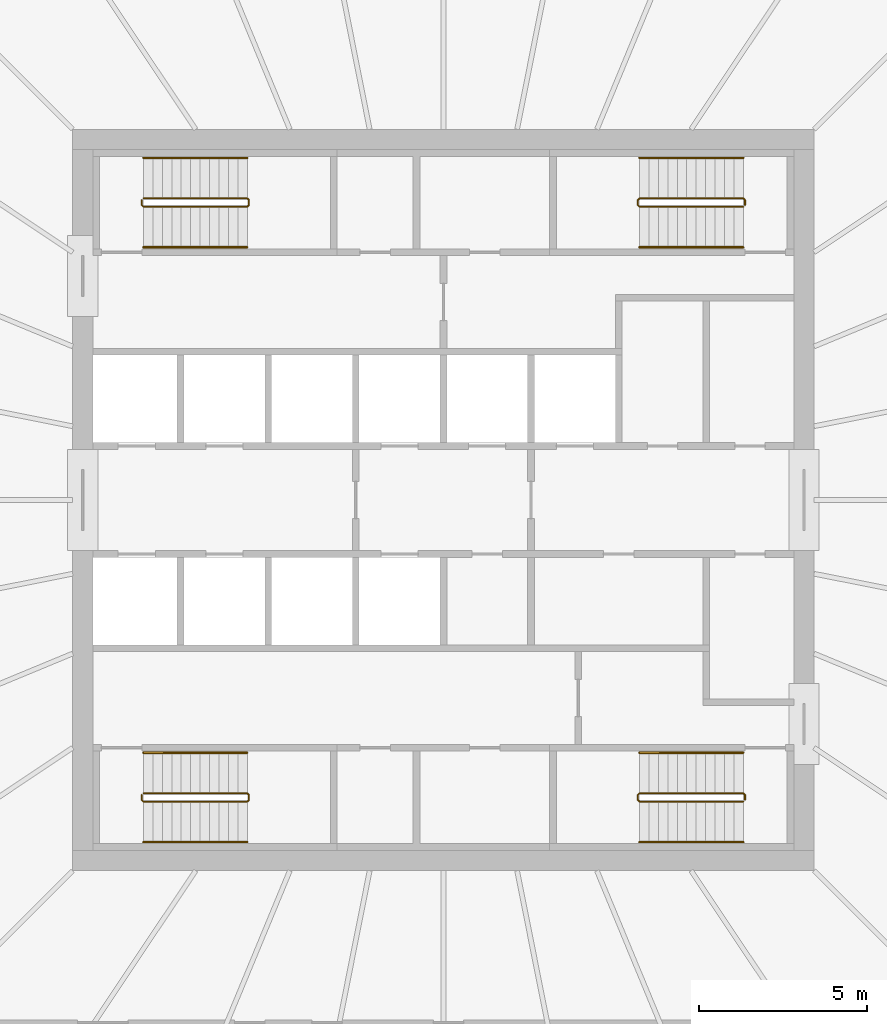
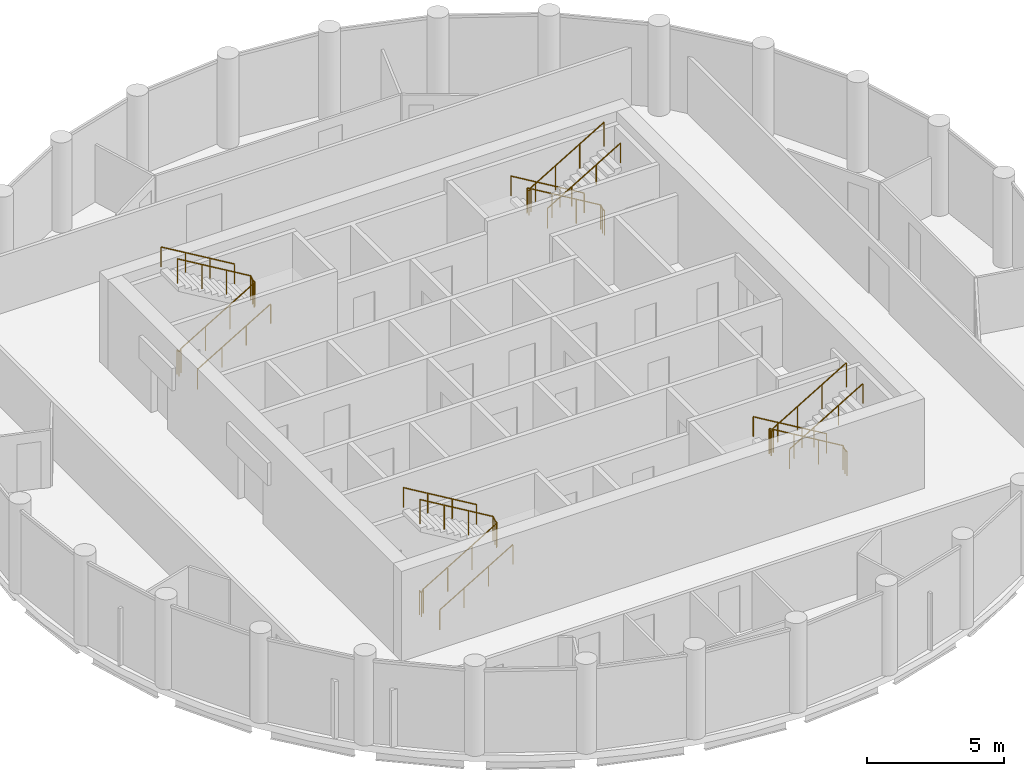
# One storey, part 7 of 7: 12 railings.
"""IFC4 building model written with IfcOpenShell, lengths in metres."""

from ifc_helpers import new_model, si_unit, direction, frame, origin, origin_2d, place, context, subcontext, project, spatial, circle, extrude, material, type_object, element, save


model = new_model("IFC4")

# Units and contexts
model_context = context("Model", 3, precision=1e-05, world=origin(), true_north=direction((0.0, 1.0)))
body_context = subcontext(model_context, "Body", "Model", "MODEL_VIEW")
ifc_project = project(units=[si_unit("LENGTHUNIT", "METRE"), si_unit("AREAUNIT", "SQUARE_METRE"), si_unit("VOLUMEUNIT", "CUBIC_METRE"), si_unit("PLANEANGLEUNIT", "RADIAN"), si_unit("MASSUNIT", "GRAM", prefix="KILO")], contexts=[model_context])

# Site, building, storey
site_placement = place(None, origin())
site = spatial("IfcSite", under=ifc_project, at=site_placement, CompositionType="ELEMENT")
building_placement = place(site_placement, origin())
building = spatial("IfcBuilding", under=site, at=building_placement, Name="Corvane Civic Tower", CompositionType="ELEMENT")
storey_placement = place(building_placement, frame((0.0, 0.0, 376.5)))
storey = spatial("IfcBuildingStorey", under=building, at=storey_placement, Name="L90", CompositionType="ELEMENT", Elevation=376.5)

# Railings
ifc_material_1 = material(Name="Steel ASTM A572 Gr 50", Category="steel")
railing_type_1 = type_object("IfcRailingType", Name="ST-GUARD-1100", PredefinedType="GUARDRAIL", material=ifc_material_1)
railing_1_placement = place(storey_placement, frame((8.949951171875, 8.75, 0.0)))
element("IfcRailing", 1, at=railing_1_placement, inside=storey, type_object=railing_type_1, Name="L90 ST1 stair guard 1", PredefinedType="GUARDRAIL", context=body_context, shape_type="SweptSolid", body=[
    extrude(circle(Radius=0.02392578125, at=origin_2d()), frame((0.0, 0.0, 1.076171875), z_axis=(0.0, 1.0, 0.0), x_axis=(-1.0, 0.0, 0.0)), (0.0, 0.0, 1.0), 0.14990234375),
    extrude(circle(Radius=0.02392578125, at=origin_2d()), frame((0.0, 0.14990234375, 1.076171875), z_axis=(-0.27628659633, 0.27628659633, 0.920506074601), x_axis=(-0.707106781187, -0.707106781187, 0.0)), (0.0, 0.0, 1.0), 0.18115234375),
    extrude(circle(Radius=0.02392578125, at=origin_2d()), frame((-0.050048828125, 0.199951171875, 1.24267578125), z_axis=(-0.859290745958, 0.0, 0.51148745235), x_axis=(0.0, -1.0, 0.0)), (0.0, 0.0, 1.0), 3.584228515625),
    extrude(circle(Radius=0.02392578125, at=origin_2d()), frame((-3.1298828125, 0.199951171875, 3.076171875), z_axis=(-0.707106781187, -0.707106781187, 0.0), x_axis=(0.707106781187, -0.707106781187, 0.0)), (0.0, 0.0, 1.0), 0.07080078125),
    extrude(circle(Radius=0.02392578125, at=origin_2d()), frame((-3.179931640625, 0.14990234375, 3.076171875), z_axis=(0.0, -1.0, 0.0), x_axis=(1.0, 0.0, 0.0)), (0.0, 0.0, 1.0), 0.14990234375),
    extrude(circle(Radius=0.02392578125, at=origin_2d()), frame((-3.179931640625, 0.0, 3.076171875), z_axis=(0.27628659633, -0.27628659633, 0.920506074601), x_axis=(0.707106781187, 0.707106781187, 0.0)), (0.0, 0.0, 1.0), 0.18115234375),
    extrude(circle(Radius=0.02392578125, at=origin_2d()), frame((-3.1298828125, -0.050048828125, 3.24267578125), z_axis=(0.859290745958, 0.0, 0.51148745235), x_axis=(0.0, 1.0, 0.0)), (0.0, 0.0, 1.0), 3.584228515625),
    extrude(circle(Radius=0.02099609375, at=origin_2d()), origin(), (0.0, 0.0, 1.0), 1.052001953125),
    extrude(circle(Radius=0.02099609375, at=origin_2d()), frame((0.0, 0.14990234375, 0.0)), (0.0, 0.0, 1.0), 1.052001953125),
    extrude(circle(Radius=0.02099609375, at=origin_2d()), frame((-0.050048828125, 0.199951171875, 0.166748046875)), (0.0, 0.0, 1.0), 1.052001953125),
    extrude(circle(Radius=0.02099609375, at=origin_2d()), frame((-1.07666015625, 0.199951171875, 0.77783203125)), (0.0, 0.0, 1.0), 1.052001953125),
    extrude(circle(Radius=0.02099609375, at=origin_2d()), frame((-2.103271484375, 0.199951171875, 1.388916015625)), (0.0, 0.0, 1.0), 1.052001953125),
    extrude(circle(Radius=0.02099609375, at=origin_2d()), frame((-3.1298828125, 0.199951171875, 2.0)), (0.0, 0.0, 1.0), 1.052001953125),
    extrude(circle(Radius=0.02099609375, at=origin_2d()), frame((-3.179931640625, 0.14990234375, 2.0)), (0.0, 0.0, 1.0), 1.052001953125),
    extrude(circle(Radius=0.02099609375, at=origin_2d()), frame((-3.179931640625, 0.0, 2.0)), (0.0, 0.0, 1.0), 1.052001953125),
    extrude(circle(Radius=0.02099609375, at=origin_2d()), frame((-3.1298828125, -0.050048828125, 2.166748046875)), (0.0, 0.0, 1.0), 1.052001953125),
    extrude(circle(Radius=0.02099609375, at=origin_2d()), frame((-2.103271484375, -0.050048828125, 2.77783203125)), (0.0, 0.0, 1.0), 1.052001953125),
    extrude(circle(Radius=0.02099609375, at=origin_2d()), frame((-1.07666015625, -0.050048828125, 3.388916015625)), (0.0, 0.0, 1.0), 1.052001953125),
    extrude(circle(Radius=0.02099609375, at=origin_2d()), frame((-0.050048828125, -0.050048828125, 4.0)), (0.0, 0.0, 1.0), 1.052001953125),
])
railing_2_placement = place(storey_placement, frame((8.949951171875, -8.89990234375, 0.0)))
element("IfcRailing", 2, at=railing_2_placement, inside=storey, type_object=railing_type_1, Name="L90 ST2 stair guard 1", PredefinedType="GUARDRAIL", context=body_context, shape_type="SweptSolid", body=[
    extrude(circle(Radius=0.02392578125, at=origin_2d()), frame((0.0, 0.0, 1.076171875), z_axis=(0.0, 1.0, 0.0), x_axis=(-1.0, 0.0, 0.0)), (0.0, 0.0, 1.0), 0.14990234375),
    extrude(circle(Radius=0.02392578125, at=origin_2d()), frame((0.0, 0.14990234375, 1.076171875), z_axis=(-0.27628659633, 0.27628659633, 0.920506074601), x_axis=(-0.707106781187, -0.707106781187, 0.0)), (0.0, 0.0, 1.0), 0.18115234375),
    extrude(circle(Radius=0.02392578125, at=origin_2d()), frame((-0.050048828125, 0.199951171875, 1.24267578125), z_axis=(-0.859290745958, 0.0, 0.51148745235), x_axis=(0.0, -1.0, 0.0)), (0.0, 0.0, 1.0), 3.584228515625),
    extrude(circle(Radius=0.02392578125, at=origin_2d()), frame((-3.1298828125, 0.199951171875, 3.076171875), z_axis=(-0.707106781187, -0.707106781187, 0.0), x_axis=(0.707106781187, -0.707106781187, 0.0)), (0.0, 0.0, 1.0), 0.07080078125),
    extrude(circle(Radius=0.02392578125, at=origin_2d()), frame((-3.179931640625, 0.14990234375, 3.076171875), z_axis=(0.0, -1.0, 0.0), x_axis=(1.0, 0.0, 0.0)), (0.0, 0.0, 1.0), 0.14990234375),
    extrude(circle(Radius=0.02392578125, at=origin_2d()), frame((-3.179931640625, 0.0, 3.076171875), z_axis=(0.27628659633, -0.27628659633, 0.920506074601), x_axis=(0.707106781187, 0.707106781187, 0.0)), (0.0, 0.0, 1.0), 0.18115234375),
    extrude(circle(Radius=0.02392578125, at=origin_2d()), frame((-3.1298828125, -0.050048828125, 3.24267578125), z_axis=(0.859290745958, 0.0, 0.51148745235), x_axis=(0.0, 1.0, 0.0)), (0.0, 0.0, 1.0), 3.584228515625),
    extrude(circle(Radius=0.02099609375, at=origin_2d()), origin(), (0.0, 0.0, 1.0), 1.052001953125),
    extrude(circle(Radius=0.02099609375, at=origin_2d()), frame((0.0, 0.14990234375, 0.0)), (0.0, 0.0, 1.0), 1.052001953125),
    extrude(circle(Radius=0.02099609375, at=origin_2d()), frame((-0.050048828125, 0.199951171875, 0.166748046875)), (0.0, 0.0, 1.0), 1.052001953125),
    extrude(circle(Radius=0.02099609375, at=origin_2d()), frame((-1.07666015625, 0.199951171875, 0.77783203125)), (0.0, 0.0, 1.0), 1.052001953125),
    extrude(circle(Radius=0.02099609375, at=origin_2d()), frame((-2.103271484375, 0.199951171875, 1.388916015625)), (0.0, 0.0, 1.0), 1.052001953125),
    extrude(circle(Radius=0.02099609375, at=origin_2d()), frame((-3.1298828125, 0.199951171875, 2.0)), (0.0, 0.0, 1.0), 1.052001953125),
    extrude(circle(Radius=0.02099609375, at=origin_2d()), frame((-3.179931640625, 0.14990234375, 2.0)), (0.0, 0.0, 1.0), 1.052001953125),
    extrude(circle(Radius=0.02099609375, at=origin_2d()), frame((-3.179931640625, 0.0, 2.0)), (0.0, 0.0, 1.0), 1.052001953125),
    extrude(circle(Radius=0.02099609375, at=origin_2d()), frame((-3.1298828125, -0.050048828125, 2.166748046875)), (0.0, 0.0, 1.0), 1.052001953125),
    extrude(circle(Radius=0.02099609375, at=origin_2d()), frame((-2.103271484375, -0.050048828125, 2.77783203125)), (0.0, 0.0, 1.0), 1.052001953125),
    extrude(circle(Radius=0.02099609375, at=origin_2d()), frame((-1.07666015625, -0.050048828125, 3.388916015625)), (0.0, 0.0, 1.0), 1.052001953125),
    extrude(circle(Radius=0.02099609375, at=origin_2d()), frame((-0.050048828125, -0.050048828125, 4.0)), (0.0, 0.0, 1.0), 1.052001953125),
])
railing_3_placement = place(storey_placement, frame((-8.949951171875, -8.75, 0.0)))
element("IfcRailing", 3, at=railing_3_placement, inside=storey, type_object=railing_type_1, Name="L90 ST3 stair guard 1", PredefinedType="GUARDRAIL", context=body_context, shape_type="SweptSolid", body=[
    extrude(circle(Radius=0.02392578125, at=origin_2d()), frame((0.0, 0.0, 1.076171875), z_axis=(0.0, -1.0, 0.0), x_axis=(1.0, 0.0, 0.0)), (0.0, 0.0, 1.0), 0.14990234375),
    extrude(circle(Radius=0.02392578125, at=origin_2d()), frame((0.0, -0.14990234375, 1.076171875), z_axis=(0.27628659633, -0.27628659633, 0.920506074601), x_axis=(0.707106781187, 0.707106781187, 0.0)), (0.0, 0.0, 1.0), 0.18115234375),
    extrude(circle(Radius=0.02392578125, at=origin_2d()), frame((0.050048828125, -0.199951171875, 1.24267578125), z_axis=(0.859290745958, 0.0, 0.51148745235), x_axis=(0.0, 1.0, 0.0)), (0.0, 0.0, 1.0), 3.584228515625),
    extrude(circle(Radius=0.02392578125, at=origin_2d()), frame((3.1298828125, -0.199951171875, 3.076171875), z_axis=(0.707106781187, 0.707106781187, 0.0), x_axis=(-0.707106781187, 0.707106781187, 0.0)), (0.0, 0.0, 1.0), 0.07080078125),
    extrude(circle(Radius=0.02392578125, at=origin_2d()), frame((3.179931640625, -0.14990234375, 3.076171875), z_axis=(0.0, 1.0, 0.0), x_axis=(-1.0, 0.0, 0.0)), (0.0, 0.0, 1.0), 0.14990234375),
    extrude(circle(Radius=0.02392578125, at=origin_2d()), frame((3.179931640625, 0.0, 3.076171875), z_axis=(-0.27628659633, 0.27628659633, 0.920506074601), x_axis=(-0.707106781187, -0.707106781187, 0.0)), (0.0, 0.0, 1.0), 0.18115234375),
    extrude(circle(Radius=0.02392578125, at=origin_2d()), frame((3.1298828125, 0.050048828125, 3.24267578125), z_axis=(-0.859290745958, 0.0, 0.51148745235), x_axis=(0.0, -1.0, 0.0)), (0.0, 0.0, 1.0), 3.584228515625),
    extrude(circle(Radius=0.02099609375, at=origin_2d()), origin(), (0.0, 0.0, 1.0), 1.052001953125),
    extrude(circle(Radius=0.02099609375, at=origin_2d()), frame((0.0, -0.14990234375, 0.0)), (0.0, 0.0, 1.0), 1.052001953125),
    extrude(circle(Radius=0.02099609375, at=origin_2d()), frame((0.050048828125, -0.199951171875, 0.166748046875)), (0.0, 0.0, 1.0), 1.052001953125),
    extrude(circle(Radius=0.02099609375, at=origin_2d()), frame((1.07666015625, -0.199951171875, 0.77783203125)), (0.0, 0.0, 1.0), 1.052001953125),
    extrude(circle(Radius=0.02099609375, at=origin_2d()), frame((2.103271484375, -0.199951171875, 1.388916015625)), (0.0, 0.0, 1.0), 1.052001953125),
    extrude(circle(Radius=0.02099609375, at=origin_2d()), frame((3.1298828125, -0.199951171875, 2.0)), (0.0, 0.0, 1.0), 1.052001953125),
    extrude(circle(Radius=0.02099609375, at=origin_2d()), frame((3.179931640625, -0.14990234375, 2.0)), (0.0, 0.0, 1.0), 1.052001953125),
    extrude(circle(Radius=0.02099609375, at=origin_2d()), frame((3.179931640625, 0.0, 2.0)), (0.0, 0.0, 1.0), 1.052001953125),
    extrude(circle(Radius=0.02099609375, at=origin_2d()), frame((3.1298828125, 0.050048828125, 2.166748046875)), (0.0, 0.0, 1.0), 1.052001953125),
    extrude(circle(Radius=0.02099609375, at=origin_2d()), frame((2.103271484375, 0.050048828125, 2.77783203125)), (0.0, 0.0, 1.0), 1.052001953125),
    extrude(circle(Radius=0.02099609375, at=origin_2d()), frame((1.07666015625, 0.050048828125, 3.388916015625)), (0.0, 0.0, 1.0), 1.052001953125),
    extrude(circle(Radius=0.02099609375, at=origin_2d()), frame((0.050048828125, 0.050048828125, 4.0)), (0.0, 0.0, 1.0), 1.052001953125),
])
railing_4_placement = place(storey_placement, frame((-8.949951171875, 8.89990234375, 0.0)))
element("IfcRailing", 4, at=railing_4_placement, inside=storey, type_object=railing_type_1, Name="L90 ST4 stair guard 1", PredefinedType="GUARDRAIL", context=body_context, shape_type="SweptSolid", body=[
    extrude(circle(Radius=0.02392578125, at=origin_2d()), frame((0.0, 0.0, 1.076171875), z_axis=(0.0, -1.0, 0.0), x_axis=(1.0, 0.0, 0.0)), (0.0, 0.0, 1.0), 0.14990234375),
    extrude(circle(Radius=0.02392578125, at=origin_2d()), frame((0.0, -0.14990234375, 1.076171875), z_axis=(0.27628659633, -0.27628659633, 0.920506074601), x_axis=(0.707106781187, 0.707106781187, 0.0)), (0.0, 0.0, 1.0), 0.18115234375),
    extrude(circle(Radius=0.02392578125, at=origin_2d()), frame((0.050048828125, -0.199951171875, 1.24267578125), z_axis=(0.859290745958, 0.0, 0.51148745235), x_axis=(0.0, 1.0, 0.0)), (0.0, 0.0, 1.0), 3.584228515625),
    extrude(circle(Radius=0.02392578125, at=origin_2d()), frame((3.1298828125, -0.199951171875, 3.076171875), z_axis=(0.707106781187, 0.707106781187, 0.0), x_axis=(-0.707106781187, 0.707106781187, 0.0)), (0.0, 0.0, 1.0), 0.07080078125),
    extrude(circle(Radius=0.02392578125, at=origin_2d()), frame((3.179931640625, -0.14990234375, 3.076171875), z_axis=(0.0, 1.0, 0.0), x_axis=(-1.0, 0.0, 0.0)), (0.0, 0.0, 1.0), 0.14990234375),
    extrude(circle(Radius=0.02392578125, at=origin_2d()), frame((3.179931640625, 0.0, 3.076171875), z_axis=(-0.27628659633, 0.27628659633, 0.920506074601), x_axis=(-0.707106781187, -0.707106781187, 0.0)), (0.0, 0.0, 1.0), 0.18115234375),
    extrude(circle(Radius=0.02392578125, at=origin_2d()), frame((3.1298828125, 0.050048828125, 3.24267578125), z_axis=(-0.859290745958, 0.0, 0.51148745235), x_axis=(0.0, -1.0, 0.0)), (0.0, 0.0, 1.0), 3.584228515625),
    extrude(circle(Radius=0.02099609375, at=origin_2d()), origin(), (0.0, 0.0, 1.0), 1.052001953125),
    extrude(circle(Radius=0.02099609375, at=origin_2d()), frame((0.0, -0.14990234375, 0.0)), (0.0, 0.0, 1.0), 1.052001953125),
    extrude(circle(Radius=0.02099609375, at=origin_2d()), frame((0.050048828125, -0.199951171875, 0.166748046875)), (0.0, 0.0, 1.0), 1.052001953125),
    extrude(circle(Radius=0.02099609375, at=origin_2d()), frame((1.07666015625, -0.199951171875, 0.77783203125)), (0.0, 0.0, 1.0), 1.052001953125),
    extrude(circle(Radius=0.02099609375, at=origin_2d()), frame((2.103271484375, -0.199951171875, 1.388916015625)), (0.0, 0.0, 1.0), 1.052001953125),
    extrude(circle(Radius=0.02099609375, at=origin_2d()), frame((3.1298828125, -0.199951171875, 2.0)), (0.0, 0.0, 1.0), 1.052001953125),
    extrude(circle(Radius=0.02099609375, at=origin_2d()), frame((3.179931640625, -0.14990234375, 2.0)), (0.0, 0.0, 1.0), 1.052001953125),
    extrude(circle(Radius=0.02099609375, at=origin_2d()), frame((3.179931640625, 0.0, 2.0)), (0.0, 0.0, 1.0), 1.052001953125),
    extrude(circle(Radius=0.02099609375, at=origin_2d()), frame((3.1298828125, 0.050048828125, 2.166748046875)), (0.0, 0.0, 1.0), 1.052001953125),
    extrude(circle(Radius=0.02099609375, at=origin_2d()), frame((2.103271484375, 0.050048828125, 2.77783203125)), (0.0, 0.0, 1.0), 1.052001953125),
    extrude(circle(Radius=0.02099609375, at=origin_2d()), frame((1.07666015625, 0.050048828125, 3.388916015625)), (0.0, 0.0, 1.0), 1.052001953125),
    extrude(circle(Radius=0.02099609375, at=origin_2d()), frame((0.050048828125, 0.050048828125, 4.0)), (0.0, 0.0, 1.0), 1.052001953125),
])
ifc_material_2 = material(Name="Steel ASTM A572 Gr 50", Category="steel")
railing_type_2 = type_object("IfcRailingType", Name="ST-HANDRAIL-900", PredefinedType="HANDRAIL", material=ifc_material_2)
railing_5_placement = place(storey_placement, frame((8.89990234375, 10.14990234375, 0.166748046875)))
element("IfcRailing", 5, at=railing_5_placement, inside=storey, type_object=railing_type_2, Name="L90 ST1 stair handrail 1", PredefinedType="HANDRAIL", context=body_context, shape_type="SweptSolid", body=[
    extrude(circle(Radius=0.02392578125, at=origin_2d()), frame((0.0, 0.0, 0.8759765625), z_axis=(-0.859290745958, 0.0, 0.51148745235), x_axis=(0.0, -1.0, 0.0)), (0.0, 0.0, 1.0), 3.584228515625),
    extrude(circle(Radius=0.02099609375, at=origin_2d()), origin(), (0.0, 0.0, 1.0), 0.851806640625),
    extrude(circle(Radius=0.02099609375, at=origin_2d()), frame((-1.026611328125, 0.0, 0.611083984375)), (0.0, 0.0, 1.0), 0.851806640625),
    extrude(circle(Radius=0.02099609375, at=origin_2d()), frame((-2.05322265625, 0.0, 1.22216796875)), (0.0, 0.0, 1.0), 0.851806640625),
    extrude(circle(Radius=0.02099609375, at=origin_2d()), frame((-3.079833984375, 0.0, 1.833251953125)), (0.0, 0.0, 1.0), 0.851806640625),
])
railing_6_placement = place(storey_placement, frame((5.820068359375, 7.5, 2.166748046875)))
element("IfcRailing", 6, at=railing_6_placement, inside=storey, type_object=railing_type_2, Name="L90 ST1 stair handrail 2", PredefinedType="HANDRAIL", context=body_context, shape_type="SweptSolid", body=[
    extrude(circle(Radius=0.02392578125, at=origin_2d()), frame((0.0, 0.0, 0.8759765625), z_axis=(0.859290745958, 0.0, 0.51148745235), x_axis=(0.0, 1.0, 0.0)), (0.0, 0.0, 1.0), 3.584228515625),
    extrude(circle(Radius=0.02099609375, at=origin_2d()), origin(), (0.0, 0.0, 1.0), 0.851806640625),
    extrude(circle(Radius=0.02099609375, at=origin_2d()), frame((1.026611328125, 0.0, 0.611083984375)), (0.0, 0.0, 1.0), 0.851806640625),
    extrude(circle(Radius=0.02099609375, at=origin_2d()), frame((2.05322265625, 0.0, 1.22216796875)), (0.0, 0.0, 1.0), 0.851806640625),
    extrude(circle(Radius=0.02099609375, at=origin_2d()), frame((3.079833984375, 0.0, 1.833251953125)), (0.0, 0.0, 1.0), 0.851806640625),
])
railing_7_placement = place(storey_placement, frame((8.89990234375, -7.5, 0.166748046875)))
element("IfcRailing", 7, at=railing_7_placement, inside=storey, type_object=railing_type_2, Name="L90 ST2 stair handrail 1", PredefinedType="HANDRAIL", context=body_context, shape_type="SweptSolid", body=[
    extrude(circle(Radius=0.02392578125, at=origin_2d()), frame((0.0, 0.0, 0.8759765625), z_axis=(-0.859290745958, 0.0, 0.51148745235), x_axis=(0.0, -1.0, 0.0)), (0.0, 0.0, 1.0), 3.584228515625),
    extrude(circle(Radius=0.02099609375, at=origin_2d()), origin(), (0.0, 0.0, 1.0), 0.851806640625),
    extrude(circle(Radius=0.02099609375, at=origin_2d()), frame((-1.026611328125, 0.0, 0.611083984375)), (0.0, 0.0, 1.0), 0.851806640625),
    extrude(circle(Radius=0.02099609375, at=origin_2d()), frame((-2.05322265625, 0.0, 1.22216796875)), (0.0, 0.0, 1.0), 0.851806640625),
    extrude(circle(Radius=0.02099609375, at=origin_2d()), frame((-3.079833984375, 0.0, 1.833251953125)), (0.0, 0.0, 1.0), 0.851806640625),
])
for number, where, name in (
    (8, (5.820068359375, -10.14990234375, 2.166748046875), "L90 ST2 stair handrail 2"),
    (9, (-8.89990234375, -10.14990234375, 0.166748046875), "L90 ST3 stair handrail 1"),
):
    element("IfcRailing", number, at=place(storey_placement, frame(where)), inside=storey, type_object=railing_type_2, Name=name, PredefinedType="HANDRAIL", context=body_context, shape_type="SweptSolid", body=[
        extrude(circle(Radius=0.02392578125, at=origin_2d()), frame((0.0, 0.0, 0.8759765625), z_axis=(0.859290745958, 0.0, 0.51148745235), x_axis=(0.0, 1.0, 0.0)), (0.0, 0.0, 1.0), 3.584228515625),
        extrude(circle(Radius=0.02099609375, at=origin_2d()), origin(), (0.0, 0.0, 1.0), 0.851806640625),
        extrude(circle(Radius=0.02099609375, at=origin_2d()), frame((1.026611328125, 0.0, 0.611083984375)), (0.0, 0.0, 1.0), 0.851806640625),
        extrude(circle(Radius=0.02099609375, at=origin_2d()), frame((2.05322265625, 0.0, 1.22216796875)), (0.0, 0.0, 1.0), 0.851806640625),
        extrude(circle(Radius=0.02099609375, at=origin_2d()), frame((3.079833984375, 0.0, 1.833251953125)), (0.0, 0.0, 1.0), 0.851806640625),
    ])
railing_8_placement = place(storey_placement, frame((-5.820068359375, -7.5, 2.166748046875)))
element("IfcRailing", 10, at=railing_8_placement, inside=storey, type_object=railing_type_2, Name="L90 ST3 stair handrail 2", PredefinedType="HANDRAIL", context=body_context, shape_type="SweptSolid", body=[
    extrude(circle(Radius=0.02392578125, at=origin_2d()), frame((0.0, 0.0, 0.8759765625), z_axis=(-0.859290745958, 0.0, 0.51148745235), x_axis=(0.0, -1.0, 0.0)), (0.0, 0.0, 1.0), 3.584228515625),
    extrude(circle(Radius=0.02099609375, at=origin_2d()), origin(), (0.0, 0.0, 1.0), 0.851806640625),
    extrude(circle(Radius=0.02099609375, at=origin_2d()), frame((-1.026611328125, 0.0, 0.611083984375)), (0.0, 0.0, 1.0), 0.851806640625),
    extrude(circle(Radius=0.02099609375, at=origin_2d()), frame((-2.05322265625, 0.0, 1.22216796875)), (0.0, 0.0, 1.0), 0.851806640625),
    extrude(circle(Radius=0.02099609375, at=origin_2d()), frame((-3.079833984375, 0.0, 1.833251953125)), (0.0, 0.0, 1.0), 0.851806640625),
])
railing_9_placement = place(storey_placement, frame((-8.89990234375, 7.5, 0.166748046875)))
element("IfcRailing", 11, at=railing_9_placement, inside=storey, type_object=railing_type_2, Name="L90 ST4 stair handrail 1", PredefinedType="HANDRAIL", context=body_context, shape_type="SweptSolid", body=[
    extrude(circle(Radius=0.02392578125, at=origin_2d()), frame((0.0, 0.0, 0.8759765625), z_axis=(0.859290745958, 0.0, 0.51148745235), x_axis=(0.0, 1.0, 0.0)), (0.0, 0.0, 1.0), 3.584228515625),
    extrude(circle(Radius=0.02099609375, at=origin_2d()), origin(), (0.0, 0.0, 1.0), 0.851806640625),
    extrude(circle(Radius=0.02099609375, at=origin_2d()), frame((1.026611328125, 0.0, 0.611083984375)), (0.0, 0.0, 1.0), 0.851806640625),
    extrude(circle(Radius=0.02099609375, at=origin_2d()), frame((2.05322265625, 0.0, 1.22216796875)), (0.0, 0.0, 1.0), 0.851806640625),
    extrude(circle(Radius=0.02099609375, at=origin_2d()), frame((3.079833984375, 0.0, 1.833251953125)), (0.0, 0.0, 1.0), 0.851806640625),
])
railing_10_placement = place(storey_placement, frame((-5.820068359375, 10.14990234375, 2.166748046875)))
element("IfcRailing", 12, at=railing_10_placement, inside=storey, type_object=railing_type_2, Name="L90 ST4 stair handrail 2", PredefinedType="HANDRAIL", context=body_context, shape_type="SweptSolid", body=[
    extrude(circle(Radius=0.02392578125, at=origin_2d()), frame((0.0, 0.0, 0.8759765625), z_axis=(-0.859290745958, 0.0, 0.51148745235), x_axis=(0.0, -1.0, 0.0)), (0.0, 0.0, 1.0), 3.584228515625),
    extrude(circle(Radius=0.02099609375, at=origin_2d()), origin(), (0.0, 0.0, 1.0), 0.851806640625),
    extrude(circle(Radius=0.02099609375, at=origin_2d()), frame((-1.026611328125, 0.0, 0.611083984375)), (0.0, 0.0, 1.0), 0.851806640625),
    extrude(circle(Radius=0.02099609375, at=origin_2d()), frame((-2.05322265625, 0.0, 1.22216796875)), (0.0, 0.0, 1.0), 0.851806640625),
    extrude(circle(Radius=0.02099609375, at=origin_2d()), frame((-3.079833984375, 0.0, 1.833251953125)), (0.0, 0.0, 1.0), 0.851806640625),
])

save(model, "model.ifc")
